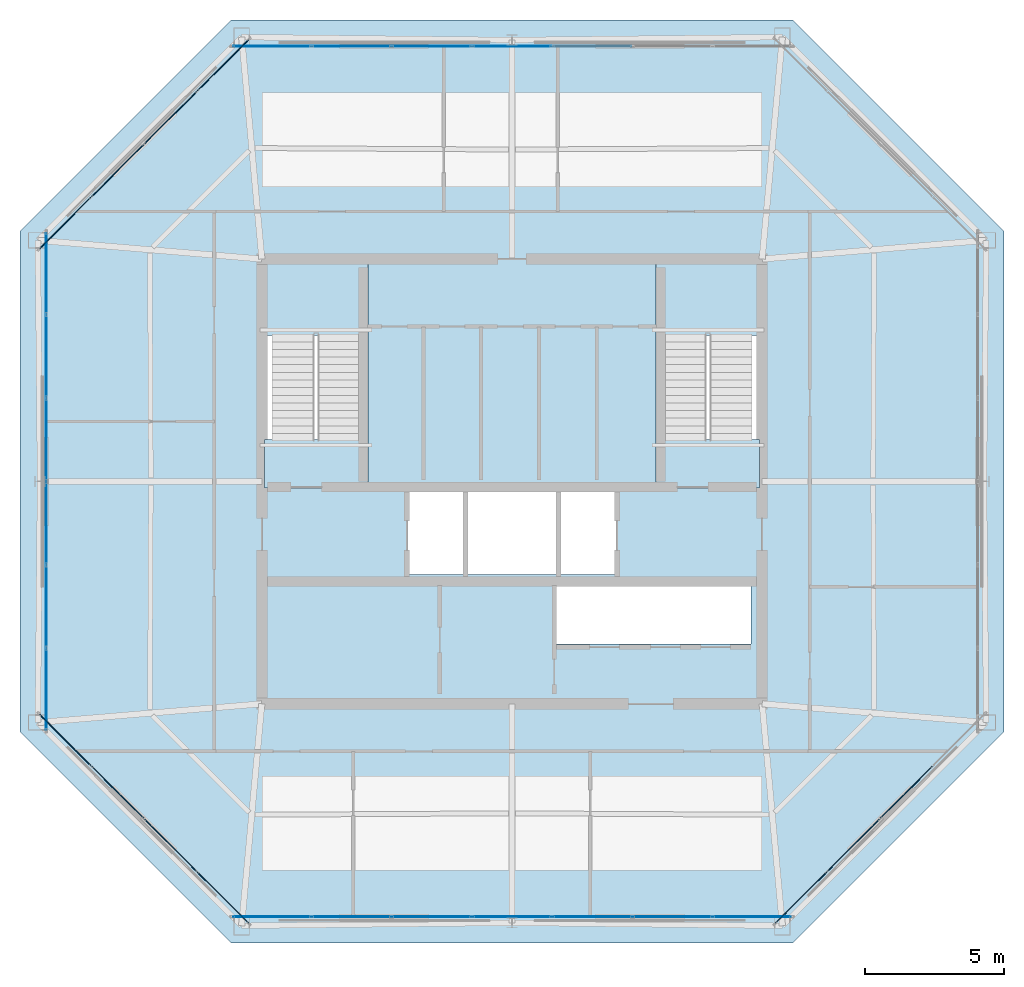
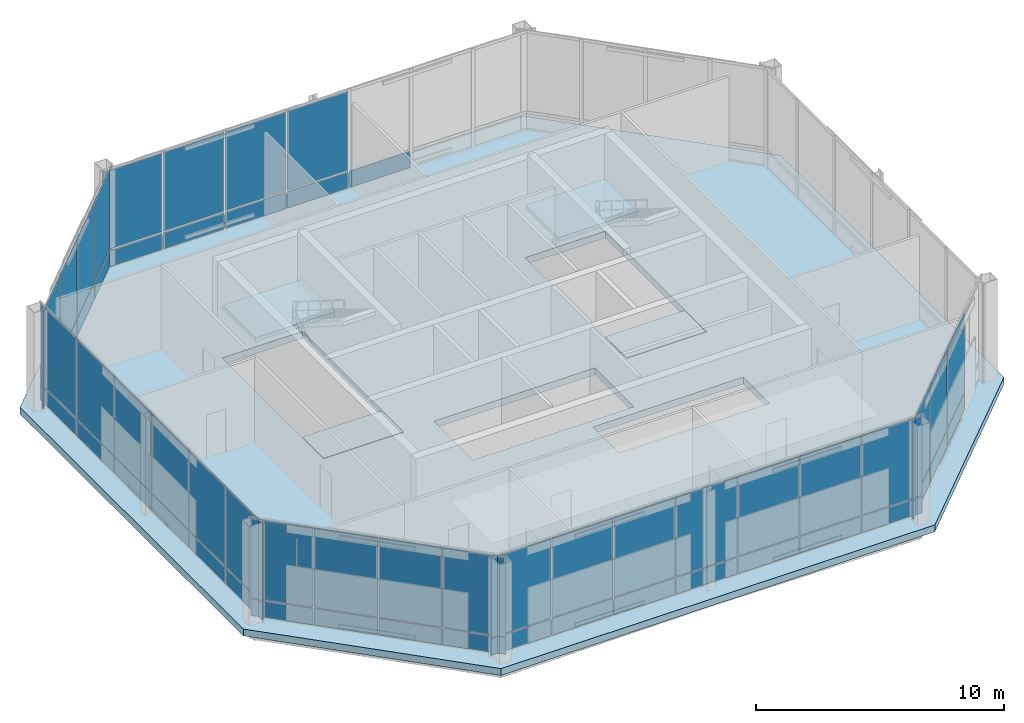
# One storey, part 17 of 21: 57 plates, 5 slabs, 8 elements without a shape of their own.
"""IFC4 building model written with IfcOpenShell, lengths in metres."""

from ifc_helpers import new_model, si_unit, direction, frame, origin, origin_2d, place, context, subcontext, project, spatial, polyline, rectangle, outline, extrude, material, layer, layer_set, type_object, element, aggregate, save


model = new_model("IFC4")

# Units and contexts
model_context = context("Model", 3, precision=1e-05, world=origin(), true_north=direction((0.0, 1.0)))
body_context = subcontext(model_context, "Body", "Model", "MODEL_VIEW")
ifc_project = project(units=[si_unit("LENGTHUNIT", "METRE"), si_unit("AREAUNIT", "SQUARE_METRE"), si_unit("VOLUMEUNIT", "CUBIC_METRE"), si_unit("PLANEANGLEUNIT", "RADIAN"), si_unit("MASSUNIT", "GRAM", prefix="KILO")], contexts=[model_context])

# Site, building, storey
site_placement = place(None, origin())
site = spatial("IfcSite", under=ifc_project, at=site_placement, CompositionType="ELEMENT")
building_placement = place(site_placement, origin())
building = spatial("IfcBuilding", under=site, at=building_placement, Name="Caelvoria Tower", CompositionType="ELEMENT")
storey_placement = place(building_placement, frame((0.0, 0.0, 279.0)))
storey = spatial("IfcBuildingStorey", under=building, at=storey_placement, Name="L74", CompositionType="ELEMENT", Elevation=279.0)

# Curtain wall, plates
ifc_material_1 = material(Name="Anodised Bronze Aluminium and Low-E Glass", Category="aluminium")
ifc_layer_1 = layer(ifc_material_1, 0.205078125, Name="Anodised Bronze Aluminium and Low-E Glass")
ifc_layer_set_1 = layer_set([ifc_layer_1], Name="CW System 5 Observation Panorama Low-Iron Facade - Anodised Bronze Aluminium and Low-E Glass")
curtain_wall_type = type_object("IfcCurtainWallType", Name="CW System 5 Observation Panorama Low-Iron Facade", PredefinedType="NOTDEFINED", material=ifc_layer_set_1)
curtain_wall_1_placement = place(storey_placement, origin())
curtain_wall_1 = element("IfcCurtainWall", 1, at=curtain_wall_1_placement, inside=storey, type_object=curtain_wall_type, Name="CW-05 Curtain Wall L74-E0", PredefinedType="NOTDEFINED")
ifc_material_2 = material(Name="Tinted Low-E Insulated Glazing Unit", Category="glass")
ifc_layer_2 = layer(ifc_material_2, 0.028076171875, Name="Tinted Low-E Insulated Glazing Unit")
ifc_layer_set_2 = layer_set([ifc_layer_2], Name="Double-Glazed Solar-Control Vision Panel 28 - Tinted Low-E Insulated Glazing Unit")
plate_type_1 = type_object("IfcPlateType", Name="Double-Glazed Solar-Control Vision Panel 28", PredefinedType="CURTAIN_PANEL", material=ifc_layer_set_2)
plate_1_placement = place(storey_placement, frame((37.359130859375, 16.340087890625, 0.9326171875), z_axis=(0.0, 0.0, 1.0), x_axis=(1.0, 0.0, 0.0)))
plate_1 = element("IfcPlate", 2, at=plate_1_placement, type_object=plate_type_1, Name="CW-05 panel 1.2", PredefinedType="CURTAIN_PANEL", context=body_context, shape_type="SweptSolid", body=[
    extrude(rectangle(XDim=2.788330078125, YDim=0.028076171875, at=origin_2d()), origin(), (0.0, 0.0, 1.0), 3.902587890625),
])
plate_2_placement = place(storey_placement, frame((40.228515625, 16.340087890625, 0.9326171875), z_axis=(0.0, 0.0, 1.0), x_axis=(1.0, 0.0, 0.0)))
plate_2 = element("IfcPlate", 3, at=plate_2_placement, type_object=plate_type_1, Name="CW-05 panel 2.2", PredefinedType="CURTAIN_PANEL", context=body_context, shape_type="SweptSolid", body=[
    extrude(rectangle(XDim=2.82080078125, YDim=0.028076171875, at=origin_2d()), origin(), (0.0, 0.0, 1.0), 3.902587890625),
])
plate_3_placement = place(storey_placement, frame((43.1142578125, 16.340087890625, 0.9326171875), z_axis=(0.0, 0.0, 1.0), x_axis=(1.0, 0.0, 0.0)))
plate_3 = element("IfcPlate", 4, at=plate_3_placement, type_object=plate_type_1, Name="CW-05 panel 3.2", PredefinedType="CURTAIN_PANEL", context=body_context, shape_type="SweptSolid", body=[
    extrude(rectangle(XDim=2.82080078125, YDim=0.028076171875, at=origin_2d()), origin(), (0.0, 0.0, 1.0), 3.902587890625),
])
plate_4_placement = place(storey_placement, frame((46.0, 16.340087890625, 0.9326171875), z_axis=(0.0, 0.0, 1.0), x_axis=(1.0, 0.0, 0.0)))
plate_4 = element("IfcPlate", 5, at=plate_4_placement, type_object=plate_type_1, Name="CW-05 panel 4.2", PredefinedType="CURTAIN_PANEL", context=body_context, shape_type="SweptSolid", body=[
    extrude(rectangle(XDim=2.82080078125, YDim=0.028076171875, at=origin_2d()), origin(), (0.0, 0.0, 1.0), 3.902587890625),
])
plate_5_placement = place(storey_placement, frame((48.8857421875, 16.340087890625, 0.9326171875), z_axis=(0.0, 0.0, 1.0), x_axis=(1.0, 0.0, 0.0)))
plate_5 = element("IfcPlate", 6, at=plate_5_placement, type_object=plate_type_1, Name="CW-05 panel 5.2", PredefinedType="CURTAIN_PANEL", context=body_context, shape_type="SweptSolid", body=[
    extrude(rectangle(XDim=2.82080078125, YDim=0.028076171875, at=origin_2d()), origin(), (0.0, 0.0, 1.0), 3.902587890625),
])
plate_6_placement = place(storey_placement, frame((51.771484375, 16.340087890625, 0.9326171875), z_axis=(0.0, 0.0, 1.0), x_axis=(1.0, 0.0, 0.0)))
plate_6 = element("IfcPlate", 7, at=plate_6_placement, type_object=plate_type_1, Name="CW-05 panel 6.2", PredefinedType="CURTAIN_PANEL", context=body_context, shape_type="SweptSolid", body=[
    extrude(rectangle(XDim=2.82080078125, YDim=0.028076171875, at=origin_2d()), origin(), (0.0, 0.0, 1.0), 3.902587890625),
])
plate_7_placement = place(storey_placement, frame((54.640869140625, 16.340087890625, 0.9326171875), z_axis=(0.0, 0.0, 1.0), x_axis=(1.0, 0.0, 0.0)))
plate_7 = element("IfcPlate", 8, at=plate_7_placement, type_object=plate_type_1, Name="CW-05 panel 7.2", PredefinedType="CURTAIN_PANEL", context=body_context, shape_type="SweptSolid", body=[
    extrude(rectangle(XDim=2.788330078125, YDim=0.028076171875, at=origin_2d()), origin(), (0.0, 0.0, 1.0), 3.902587890625),
])

curtain_wall_2_placement = place(storey_placement, origin())
curtain_wall_2 = element("IfcCurtainWall", 9, at=curtain_wall_2_placement, inside=storey, type_object=curtain_wall_type, Name="CW-05 Curtain Wall L74-E1", PredefinedType="NOTDEFINED")
plate_8_placement = place(storey_placement, frame((56.396728515625, 17.026123046875, 0.9326171875), z_axis=(0.0, 0.0, 1.0), x_axis=(0.707106781187, 0.707106781187, 0.0)))
plate_8 = element("IfcPlate", 10, at=plate_8_placement, type_object=plate_type_1, Name="CW-05 panel 1.2", PredefinedType="CURTAIN_PANEL", context=body_context, shape_type="SweptSolid", body=[
    extrude(rectangle(XDim=2.589599609375, YDim=0.028076171875, at=origin_2d()), origin(), (0.0, 0.0, 1.0), 3.902587890625),
])
plate_9_placement = place(storey_placement, frame((58.285400390625, 18.914794921875, 0.9326171875), z_axis=(0.0, 0.0, 1.0), x_axis=(0.707106781187, 0.707106781187, 0.0)))
plate_9 = element("IfcPlate", 11, at=plate_9_placement, type_object=plate_type_1, Name="CW-05 panel 2.2", PredefinedType="CURTAIN_PANEL", context=body_context, shape_type="SweptSolid", body=[
    extrude(rectangle(XDim=2.6220703125, YDim=0.028076171875, at=origin_2d()), origin(), (0.0, 0.0, 1.0), 3.902587890625),
])
plate_10_placement = place(storey_placement, frame((60.185302734375, 20.814697265625, 0.9326171875), z_axis=(0.0, 0.0, 1.0), x_axis=(0.707106781187, 0.707106781187, 0.0)))
plate_10 = element("IfcPlate", 12, at=plate_10_placement, type_object=plate_type_1, Name="CW-05 panel 3.2", PredefinedType="CURTAIN_PANEL", context=body_context, shape_type="SweptSolid", body=[
    extrude(rectangle(XDim=2.6220703125, YDim=0.028076171875, at=origin_2d()), origin(), (0.0, 0.0, 1.0), 3.902587890625),
])

curtain_wall_3_placement = place(storey_placement, origin())
curtain_wall_3 = element("IfcCurtainWall", 13, at=curtain_wall_3_placement, inside=storey, type_object=curtain_wall_type, Name="CW-05 Curtain Wall L74-E4", PredefinedType="NOTDEFINED")
plate_11_placement = place(storey_placement, frame((46.0, 47.659912109375, 0.9326171875), z_axis=(0.0, 0.0, 1.0), x_axis=(-1.0, 0.0, 0.0)))
plate_11 = element("IfcPlate", 14, at=plate_11_placement, type_object=plate_type_1, Name="CW-05 panel 4.2", PredefinedType="CURTAIN_PANEL", context=body_context, shape_type="SweptSolid", body=[
    extrude(rectangle(XDim=2.82080078125, YDim=0.028076171875, at=origin_2d()), origin(), (0.0, 0.0, 1.0), 3.902587890625),
])
plate_12_placement = place(storey_placement, frame((43.1142578125, 47.659912109375, 0.9326171875), z_axis=(0.0, 0.0, 1.0), x_axis=(-1.0, 0.0, 0.0)))
plate_12 = element("IfcPlate", 15, at=plate_12_placement, type_object=plate_type_1, Name="CW-05 panel 5.2", PredefinedType="CURTAIN_PANEL", context=body_context, shape_type="SweptSolid", body=[
    extrude(rectangle(XDim=2.82080078125, YDim=0.028076171875, at=origin_2d()), origin(), (0.0, 0.0, 1.0), 3.902587890625),
])
plate_13_placement = place(storey_placement, frame((40.228515625, 47.659912109375, 0.9326171875), z_axis=(0.0, 0.0, 1.0), x_axis=(-1.0, 0.0, 0.0)))
plate_13 = element("IfcPlate", 16, at=plate_13_placement, type_object=plate_type_1, Name="CW-05 panel 6.2", PredefinedType="CURTAIN_PANEL", context=body_context, shape_type="SweptSolid", body=[
    extrude(rectangle(XDim=2.82080078125, YDim=0.028076171875, at=origin_2d()), origin(), (0.0, 0.0, 1.0), 3.902587890625),
])
plate_14_placement = place(storey_placement, frame((37.359130859375, 47.659912109375, 0.9326171875), z_axis=(0.0, 0.0, 1.0), x_axis=(-1.0, 0.0, 0.0)))
plate_14 = element("IfcPlate", 17, at=plate_14_placement, type_object=plate_type_1, Name="CW-05 panel 7.2", PredefinedType="CURTAIN_PANEL", context=body_context, shape_type="SweptSolid", body=[
    extrude(rectangle(XDim=2.788330078125, YDim=0.028076171875, at=origin_2d()), origin(), (0.0, 0.0, 1.0), 3.902587890625),
])

curtain_wall_4_placement = place(storey_placement, origin())
curtain_wall_4 = element("IfcCurtainWall", 18, at=curtain_wall_4_placement, inside=storey, type_object=curtain_wall_type, Name="CW-05 Curtain Wall L74-E5", PredefinedType="NOTDEFINED")
plate_15_placement = place(storey_placement, frame((35.603271484375, 46.973876953125, 0.9326171875), z_axis=(0.0, 0.0, 1.0), x_axis=(-0.707106781187, -0.707106781187, 0.0)))
plate_15 = element("IfcPlate", 19, at=plate_15_placement, type_object=plate_type_1, Name="CW-05 panel 1.2", PredefinedType="CURTAIN_PANEL", context=body_context, shape_type="SweptSolid", body=[
    extrude(rectangle(XDim=2.589599609375, YDim=0.028076171875, at=origin_2d()), origin(), (0.0, 0.0, 1.0), 3.902587890625),
])
plate_16_placement = place(storey_placement, frame((33.714599609375, 45.085205078125, 0.9326171875), z_axis=(0.0, 0.0, 1.0), x_axis=(-0.707106781187, -0.707106781187, 0.0)))
plate_16 = element("IfcPlate", 20, at=plate_16_placement, type_object=plate_type_1, Name="CW-05 panel 2.2", PredefinedType="CURTAIN_PANEL", context=body_context, shape_type="SweptSolid", body=[
    extrude(rectangle(XDim=2.6220703125, YDim=0.028076171875, at=origin_2d()), origin(), (0.0, 0.0, 1.0), 3.902587890625),
])
plate_17_placement = place(storey_placement, frame((31.814697265625, 43.185302734375, 0.9326171875), z_axis=(0.0, 0.0, 1.0), x_axis=(-0.707106781187, -0.707106781187, 0.0)))
plate_17 = element("IfcPlate", 21, at=plate_17_placement, type_object=plate_type_1, Name="CW-05 panel 3.2", PredefinedType="CURTAIN_PANEL", context=body_context, shape_type="SweptSolid", body=[
    extrude(rectangle(XDim=2.6220703125, YDim=0.028076171875, at=origin_2d()), origin(), (0.0, 0.0, 1.0), 3.902587890625),
])
plate_18_placement = place(storey_placement, frame((29.92626953125, 41.296875, 0.9326171875), z_axis=(0.0, 0.0, 1.0), x_axis=(-0.707106781187, -0.707106781187, 0.0)))
plate_18 = element("IfcPlate", 22, at=plate_18_placement, type_object=plate_type_1, Name="CW-05 panel 4.2", PredefinedType="CURTAIN_PANEL", context=body_context, shape_type="SweptSolid", body=[
    extrude(rectangle(XDim=2.589599609375, YDim=0.028076171875, at=origin_2d()), origin(), (0.0, 0.0, 1.0), 3.902587890625),
])

curtain_wall_5_placement = place(storey_placement, origin())
curtain_wall_5 = element("IfcCurtainWall", 23, at=curtain_wall_5_placement, inside=storey, type_object=curtain_wall_type, Name="CW-05 Curtain Wall L74-E6", PredefinedType="NOTDEFINED")
plate_19_placement = place(storey_placement, frame((29.239990234375, 39.483642578125, 0.9326171875), z_axis=(0.0, 0.0, 1.0), x_axis=(0.0, -1.0, 0.0)))
plate_19 = element("IfcPlate", 24, at=plate_19_placement, type_object=plate_type_1, Name="CW-05 panel 1.2", PredefinedType="CURTAIN_PANEL", context=body_context, shape_type="SweptSolid", body=[
    extrude(rectangle(XDim=2.902587890625, YDim=0.028076171875, at=origin_2d()), origin(), (0.0, 0.0, 1.0), 3.902587890625),
])
plate_20_placement = place(storey_placement, frame((29.239990234375, 36.5, 0.9326171875), z_axis=(0.0, 0.0, 1.0), x_axis=(0.0, -1.0, 0.0)))
plate_20 = element("IfcPlate", 25, at=plate_20_placement, type_object=plate_type_1, Name="CW-05 panel 2.2", PredefinedType="CURTAIN_PANEL", context=body_context, shape_type="SweptSolid", body=[
    extrude(rectangle(XDim=2.93505859375, YDim=0.028076171875, at=origin_2d()), origin(), (0.0, 0.0, 1.0), 3.902587890625),
])
plate_21_placement = place(storey_placement, frame((29.239990234375, 33.5, 0.9326171875), z_axis=(0.0, 0.0, 1.0), x_axis=(0.0, -1.0, 0.0)))
plate_21 = element("IfcPlate", 26, at=plate_21_placement, type_object=plate_type_1, Name="CW-05 panel 3.2", PredefinedType="CURTAIN_PANEL", context=body_context, shape_type="SweptSolid", body=[
    extrude(rectangle(XDim=2.93505859375, YDim=0.028076171875, at=origin_2d()), origin(), (0.0, 0.0, 1.0), 3.902587890625),
])
plate_22_placement = place(storey_placement, frame((29.239990234375, 30.5, 0.9326171875), z_axis=(0.0, 0.0, 1.0), x_axis=(0.0, -1.0, 0.0)))
plate_22 = element("IfcPlate", 27, at=plate_22_placement, type_object=plate_type_1, Name="CW-05 panel 4.2", PredefinedType="CURTAIN_PANEL", context=body_context, shape_type="SweptSolid", body=[
    extrude(rectangle(XDim=2.93505859375, YDim=0.028076171875, at=origin_2d()), origin(), (0.0, 0.0, 1.0), 3.902587890625),
])
plate_23_placement = place(storey_placement, frame((29.239990234375, 27.5, 0.9326171875), z_axis=(0.0, 0.0, 1.0), x_axis=(0.0, -1.0, 0.0)))
plate_23 = element("IfcPlate", 28, at=plate_23_placement, type_object=plate_type_1, Name="CW-05 panel 5.2", PredefinedType="CURTAIN_PANEL", context=body_context, shape_type="SweptSolid", body=[
    extrude(rectangle(XDim=2.93505859375, YDim=0.028076171875, at=origin_2d()), origin(), (0.0, 0.0, 1.0), 3.902587890625),
])
plate_24_placement = place(storey_placement, frame((29.239990234375, 24.516357421875, 0.9326171875), z_axis=(0.0, 0.0, 1.0), x_axis=(0.0, -1.0, 0.0)))
plate_24 = element("IfcPlate", 29, at=plate_24_placement, type_object=plate_type_1, Name="CW-05 panel 6.2", PredefinedType="CURTAIN_PANEL", context=body_context, shape_type="SweptSolid", body=[
    extrude(rectangle(XDim=2.902587890625, YDim=0.028076171875, at=origin_2d()), origin(), (0.0, 0.0, 1.0), 3.902587890625),
])

curtain_wall_6_placement = place(storey_placement, origin())
curtain_wall_6 = element("IfcCurtainWall", 30, at=curtain_wall_6_placement, inside=storey, type_object=curtain_wall_type, Name="CW-05 Curtain Wall L74-E7", PredefinedType="NOTDEFINED")
plate_25_placement = place(storey_placement, frame((29.92626953125, 22.703125, 0.9326171875), z_axis=(0.0, 0.0, 1.0), x_axis=(0.707106781187, -0.707106781187, 0.0)))
plate_25 = element("IfcPlate", 31, at=plate_25_placement, type_object=plate_type_1, Name="CW-05 panel 1.2", PredefinedType="CURTAIN_PANEL", context=body_context, shape_type="SweptSolid", body=[
    extrude(rectangle(XDim=2.589599609375, YDim=0.028076171875, at=origin_2d()), origin(), (0.0, 0.0, 1.0), 3.902587890625),
])
plate_26_placement = place(storey_placement, frame((31.814697265625, 20.814697265625, 0.9326171875), z_axis=(0.0, 0.0, 1.0), x_axis=(0.707106781187, -0.707106781187, 0.0)))
plate_26 = element("IfcPlate", 32, at=plate_26_placement, type_object=plate_type_1, Name="CW-05 panel 2.2", PredefinedType="CURTAIN_PANEL", context=body_context, shape_type="SweptSolid", body=[
    extrude(rectangle(XDim=2.6220703125, YDim=0.028076171875, at=origin_2d()), origin(), (0.0, 0.0, 1.0), 3.902587890625),
])
plate_27_placement = place(storey_placement, frame((33.714599609375, 18.914794921875, 0.9326171875), z_axis=(0.0, 0.0, 1.0), x_axis=(0.707106781187, -0.707106781187, 0.0)))
plate_27 = element("IfcPlate", 33, at=plate_27_placement, type_object=plate_type_1, Name="CW-05 panel 3.2", PredefinedType="CURTAIN_PANEL", context=body_context, shape_type="SweptSolid", body=[
    extrude(rectangle(XDim=2.6220703125, YDim=0.028076171875, at=origin_2d()), origin(), (0.0, 0.0, 1.0), 3.902587890625),
])
plate_28_placement = place(storey_placement, frame((35.603271484375, 17.026123046875, 0.9326171875), z_axis=(0.0, 0.0, 1.0), x_axis=(0.707106781187, -0.707106781187, 0.0)))
plate_28 = element("IfcPlate", 34, at=plate_28_placement, type_object=plate_type_1, Name="CW-05 panel 4.2", PredefinedType="CURTAIN_PANEL", context=body_context, shape_type="SweptSolid", body=[
    extrude(rectangle(XDim=2.589599609375, YDim=0.028076171875, at=origin_2d()), origin(), (0.0, 0.0, 1.0), 3.902587890625),
])

# Plate
ifc_material_3 = material(Name="Anodised Bronze Insulated Aluminium Panel", Category="aluminium")
ifc_layer_3 = layer(ifc_material_3, 0.031982421875, Name="Anodised Bronze Insulated Aluminium Panel")
ifc_layer_set_3 = layer_set([ifc_layer_3], Name="Insulated Bronze Spandrel Curtain Panel 32 - Anodised Bronze Insulated Aluminium Panel")
plate_type_2 = type_object("IfcPlateType", Name="Insulated Bronze Spandrel Curtain Panel 32", PredefinedType="CURTAIN_PANEL", material=ifc_layer_set_3)
plate_29_placement = place(storey_placement, frame((37.359130859375, 16.340087890625, 0.06494140625), z_axis=(0.0, 0.0, 1.0), x_axis=(1.0, 0.0, 0.0)))
plate_29 = element("IfcPlate", 35, at=plate_29_placement, type_object=plate_type_2, Name="CW-05 panel 1.1", PredefinedType="CURTAIN_PANEL", context=body_context, shape_type="SweptSolid", body=[
    extrude(rectangle(XDim=2.788330078125, YDim=0.031982421875, at=origin_2d()), origin(), (0.0, 0.0, 1.0), 0.802490234375),
])

plate_30_placement = place(storey_placement, frame((40.228515625, 16.340087890625, 0.06494140625), z_axis=(0.0, 0.0, 1.0), x_axis=(1.0, 0.0, 0.0)))
plate_30 = element("IfcPlate", 36, at=plate_30_placement, type_object=plate_type_2, Name="CW-05 panel 2.1", PredefinedType="CURTAIN_PANEL", context=body_context, shape_type="SweptSolid", body=[
    extrude(rectangle(XDim=2.82080078125, YDim=0.031982421875, at=origin_2d()), origin(), (0.0, 0.0, 1.0), 0.802490234375),
])

plate_31_placement = place(storey_placement, frame((43.1142578125, 16.340087890625, 0.06494140625), z_axis=(0.0, 0.0, 1.0), x_axis=(1.0, 0.0, 0.0)))
plate_31 = element("IfcPlate", 37, at=plate_31_placement, type_object=plate_type_2, Name="CW-05 panel 3.1", PredefinedType="CURTAIN_PANEL", context=body_context, shape_type="SweptSolid", body=[
    extrude(rectangle(XDim=2.82080078125, YDim=0.031982421875, at=origin_2d()), origin(), (0.0, 0.0, 1.0), 0.802490234375),
])

plate_32_placement = place(storey_placement, frame((46.0, 16.340087890625, 0.06494140625), z_axis=(0.0, 0.0, 1.0), x_axis=(1.0, 0.0, 0.0)))
plate_32 = element("IfcPlate", 38, at=plate_32_placement, type_object=plate_type_2, Name="CW-05 panel 4.1", PredefinedType="CURTAIN_PANEL", context=body_context, shape_type="SweptSolid", body=[
    extrude(rectangle(XDim=2.82080078125, YDim=0.031982421875, at=origin_2d()), origin(), (0.0, 0.0, 1.0), 0.802490234375),
])

plate_33_placement = place(storey_placement, frame((48.8857421875, 16.340087890625, 0.06494140625), z_axis=(0.0, 0.0, 1.0), x_axis=(1.0, 0.0, 0.0)))
plate_33 = element("IfcPlate", 39, at=plate_33_placement, type_object=plate_type_2, Name="CW-05 panel 5.1", PredefinedType="CURTAIN_PANEL", context=body_context, shape_type="SweptSolid", body=[
    extrude(rectangle(XDim=2.82080078125, YDim=0.031982421875, at=origin_2d()), origin(), (0.0, 0.0, 1.0), 0.802490234375),
])

plate_34_placement = place(storey_placement, frame((51.771484375, 16.340087890625, 0.06494140625), z_axis=(0.0, 0.0, 1.0), x_axis=(1.0, 0.0, 0.0)))
plate_34 = element("IfcPlate", 40, at=plate_34_placement, type_object=plate_type_2, Name="CW-05 panel 6.1", PredefinedType="CURTAIN_PANEL", context=body_context, shape_type="SweptSolid", body=[
    extrude(rectangle(XDim=2.82080078125, YDim=0.031982421875, at=origin_2d()), origin(), (0.0, 0.0, 1.0), 0.802490234375),
])

plate_35_placement = place(storey_placement, frame((54.640869140625, 16.340087890625, 0.06494140625), z_axis=(0.0, 0.0, 1.0), x_axis=(1.0, 0.0, 0.0)))
plate_35 = element("IfcPlate", 41, at=plate_35_placement, type_object=plate_type_2, Name="CW-05 panel 7.1", PredefinedType="CURTAIN_PANEL", context=body_context, shape_type="SweptSolid", body=[
    extrude(rectangle(XDim=2.788330078125, YDim=0.031982421875, at=origin_2d()), origin(), (0.0, 0.0, 1.0), 0.802490234375),
])

aggregate(curtain_wall_1, [plate_29, plate_1, plate_30, plate_2, plate_31, plate_3, plate_32, plate_4, plate_33, plate_5, plate_34, plate_6, plate_35, plate_7])

plate_36_placement = place(storey_placement, frame((56.396728515625, 17.026123046875, 0.06494140625), z_axis=(0.0, 0.0, 1.0), x_axis=(0.707106781187, 0.707106781187, 0.0)))
plate_36 = element("IfcPlate", 42, at=plate_36_placement, type_object=plate_type_2, Name="CW-05 panel 1.1", PredefinedType="CURTAIN_PANEL", context=body_context, shape_type="SweptSolid", body=[
    extrude(rectangle(XDim=2.589599609375, YDim=0.031982421875, at=origin_2d()), origin(), (0.0, 0.0, 1.0), 0.802490234375),
])

plate_37_placement = place(storey_placement, frame((58.285400390625, 18.914794921875, 0.06494140625), z_axis=(0.0, 0.0, 1.0), x_axis=(0.707106781187, 0.707106781187, 0.0)))
plate_37 = element("IfcPlate", 43, at=plate_37_placement, type_object=plate_type_2, Name="CW-05 panel 2.1", PredefinedType="CURTAIN_PANEL", context=body_context, shape_type="SweptSolid", body=[
    extrude(rectangle(XDim=2.6220703125, YDim=0.031982421875, at=origin_2d()), origin(), (0.0, 0.0, 1.0), 0.802490234375),
])

plate_38_placement = place(storey_placement, frame((60.185302734375, 20.814697265625, 0.06494140625), z_axis=(0.0, 0.0, 1.0), x_axis=(0.707106781187, 0.707106781187, 0.0)))
plate_38 = element("IfcPlate", 44, at=plate_38_placement, type_object=plate_type_2, Name="CW-05 panel 3.1", PredefinedType="CURTAIN_PANEL", context=body_context, shape_type="SweptSolid", body=[
    extrude(rectangle(XDim=2.6220703125, YDim=0.031982421875, at=origin_2d()), origin(), (0.0, 0.0, 1.0), 0.802490234375),
])

aggregate(curtain_wall_2, [plate_36, plate_8, plate_37, plate_9, plate_38, plate_10])

plate_39_placement = place(storey_placement, frame((48.8857421875, 47.659912109375, 0.06494140625), z_axis=(0.0, 0.0, 1.0), x_axis=(-1.0, 0.0, 0.0)))
plate_39 = element("IfcPlate", 45, at=plate_39_placement, type_object=plate_type_2, Name="CW-05 panel 3.1", PredefinedType="CURTAIN_PANEL", context=body_context, shape_type="SweptSolid", body=[
    extrude(rectangle(XDim=2.82080078125, YDim=0.031982421875, at=origin_2d()), origin(), (0.0, 0.0, 1.0), 0.802490234375),
])

plate_40_placement = place(storey_placement, frame((46.0, 47.659912109375, 0.06494140625), z_axis=(0.0, 0.0, 1.0), x_axis=(-1.0, 0.0, 0.0)))
plate_40 = element("IfcPlate", 46, at=plate_40_placement, type_object=plate_type_2, Name="CW-05 panel 4.1", PredefinedType="CURTAIN_PANEL", context=body_context, shape_type="SweptSolid", body=[
    extrude(rectangle(XDim=2.82080078125, YDim=0.031982421875, at=origin_2d()), origin(), (0.0, 0.0, 1.0), 0.802490234375),
])

plate_41_placement = place(storey_placement, frame((43.1142578125, 47.659912109375, 0.06494140625), z_axis=(0.0, 0.0, 1.0), x_axis=(-1.0, 0.0, 0.0)))
plate_41 = element("IfcPlate", 47, at=plate_41_placement, type_object=plate_type_2, Name="CW-05 panel 5.1", PredefinedType="CURTAIN_PANEL", context=body_context, shape_type="SweptSolid", body=[
    extrude(rectangle(XDim=2.82080078125, YDim=0.031982421875, at=origin_2d()), origin(), (0.0, 0.0, 1.0), 0.802490234375),
])

plate_42_placement = place(storey_placement, frame((40.228515625, 47.659912109375, 0.06494140625), z_axis=(0.0, 0.0, 1.0), x_axis=(-1.0, 0.0, 0.0)))
plate_42 = element("IfcPlate", 48, at=plate_42_placement, type_object=plate_type_2, Name="CW-05 panel 6.1", PredefinedType="CURTAIN_PANEL", context=body_context, shape_type="SweptSolid", body=[
    extrude(rectangle(XDim=2.82080078125, YDim=0.031982421875, at=origin_2d()), origin(), (0.0, 0.0, 1.0), 0.802490234375),
])

plate_43_placement = place(storey_placement, frame((37.359130859375, 47.659912109375, 0.06494140625), z_axis=(0.0, 0.0, 1.0), x_axis=(-1.0, 0.0, 0.0)))
plate_43 = element("IfcPlate", 49, at=plate_43_placement, type_object=plate_type_2, Name="CW-05 panel 7.1", PredefinedType="CURTAIN_PANEL", context=body_context, shape_type="SweptSolid", body=[
    extrude(rectangle(XDim=2.788330078125, YDim=0.031982421875, at=origin_2d()), origin(), (0.0, 0.0, 1.0), 0.802490234375),
])

aggregate(curtain_wall_3, [plate_39, plate_40, plate_11, plate_41, plate_12, plate_42, plate_13, plate_43, plate_14])

plate_44_placement = place(storey_placement, frame((35.603271484375, 46.973876953125, 0.06494140625), z_axis=(0.0, 0.0, 1.0), x_axis=(-0.707106781187, -0.707106781187, 0.0)))
plate_44 = element("IfcPlate", 50, at=plate_44_placement, type_object=plate_type_2, Name="CW-05 panel 1.1", PredefinedType="CURTAIN_PANEL", context=body_context, shape_type="SweptSolid", body=[
    extrude(rectangle(XDim=2.589599609375, YDim=0.031982421875, at=origin_2d()), origin(), (0.0, 0.0, 1.0), 0.802490234375),
])

plate_45_placement = place(storey_placement, frame((33.714599609375, 45.085205078125, 0.06494140625), z_axis=(0.0, 0.0, 1.0), x_axis=(-0.707106781187, -0.707106781187, 0.0)))
plate_45 = element("IfcPlate", 51, at=plate_45_placement, type_object=plate_type_2, Name="CW-05 panel 2.1", PredefinedType="CURTAIN_PANEL", context=body_context, shape_type="SweptSolid", body=[
    extrude(rectangle(XDim=2.6220703125, YDim=0.031982421875, at=origin_2d()), origin(), (0.0, 0.0, 1.0), 0.802490234375),
])

plate_46_placement = place(storey_placement, frame((31.814697265625, 43.185302734375, 0.06494140625), z_axis=(0.0, 0.0, 1.0), x_axis=(-0.707106781187, -0.707106781187, 0.0)))
plate_46 = element("IfcPlate", 52, at=plate_46_placement, type_object=plate_type_2, Name="CW-05 panel 3.1", PredefinedType="CURTAIN_PANEL", context=body_context, shape_type="SweptSolid", body=[
    extrude(rectangle(XDim=2.6220703125, YDim=0.031982421875, at=origin_2d()), origin(), (0.0, 0.0, 1.0), 0.802490234375),
])

plate_47_placement = place(storey_placement, frame((29.92626953125, 41.296875, 0.06494140625), z_axis=(0.0, 0.0, 1.0), x_axis=(-0.707106781187, -0.707106781187, 0.0)))
plate_47 = element("IfcPlate", 53, at=plate_47_placement, type_object=plate_type_2, Name="CW-05 panel 4.1", PredefinedType="CURTAIN_PANEL", context=body_context, shape_type="SweptSolid", body=[
    extrude(rectangle(XDim=2.589599609375, YDim=0.031982421875, at=origin_2d()), origin(), (0.0, 0.0, 1.0), 0.802490234375),
])

aggregate(curtain_wall_4, [plate_44, plate_15, plate_45, plate_16, plate_46, plate_17, plate_47, plate_18])

plate_48_placement = place(storey_placement, frame((29.239990234375, 39.483642578125, 0.06494140625), z_axis=(0.0, 0.0, 1.0), x_axis=(0.0, -1.0, 0.0)))
plate_48 = element("IfcPlate", 54, at=plate_48_placement, type_object=plate_type_2, Name="CW-05 panel 1.1", PredefinedType="CURTAIN_PANEL", context=body_context, shape_type="SweptSolid", body=[
    extrude(rectangle(XDim=2.902587890625, YDim=0.031982421875, at=origin_2d()), origin(), (0.0, 0.0, 1.0), 0.802490234375),
])

plate_49_placement = place(storey_placement, frame((29.239990234375, 36.5, 0.06494140625), z_axis=(0.0, 0.0, 1.0), x_axis=(0.0, -1.0, 0.0)))
plate_49 = element("IfcPlate", 55, at=plate_49_placement, type_object=plate_type_2, Name="CW-05 panel 2.1", PredefinedType="CURTAIN_PANEL", context=body_context, shape_type="SweptSolid", body=[
    extrude(rectangle(XDim=2.93505859375, YDim=0.031982421875, at=origin_2d()), origin(), (0.0, 0.0, 1.0), 0.802490234375),
])

plate_50_placement = place(storey_placement, frame((29.239990234375, 33.5, 0.06494140625), z_axis=(0.0, 0.0, 1.0), x_axis=(0.0, -1.0, 0.0)))
plate_50 = element("IfcPlate", 56, at=plate_50_placement, type_object=plate_type_2, Name="CW-05 panel 3.1", PredefinedType="CURTAIN_PANEL", context=body_context, shape_type="SweptSolid", body=[
    extrude(rectangle(XDim=2.93505859375, YDim=0.031982421875, at=origin_2d()), origin(), (0.0, 0.0, 1.0), 0.802490234375),
])

plate_51_placement = place(storey_placement, frame((29.239990234375, 30.5, 0.06494140625), z_axis=(0.0, 0.0, 1.0), x_axis=(0.0, -1.0, 0.0)))
plate_51 = element("IfcPlate", 57, at=plate_51_placement, type_object=plate_type_2, Name="CW-05 panel 4.1", PredefinedType="CURTAIN_PANEL", context=body_context, shape_type="SweptSolid", body=[
    extrude(rectangle(XDim=2.93505859375, YDim=0.031982421875, at=origin_2d()), origin(), (0.0, 0.0, 1.0), 0.802490234375),
])

plate_52_placement = place(storey_placement, frame((29.239990234375, 27.5, 0.06494140625), z_axis=(0.0, 0.0, 1.0), x_axis=(0.0, -1.0, 0.0)))
plate_52 = element("IfcPlate", 58, at=plate_52_placement, type_object=plate_type_2, Name="CW-05 panel 5.1", PredefinedType="CURTAIN_PANEL", context=body_context, shape_type="SweptSolid", body=[
    extrude(rectangle(XDim=2.93505859375, YDim=0.031982421875, at=origin_2d()), origin(), (0.0, 0.0, 1.0), 0.802490234375),
])

plate_53_placement = place(storey_placement, frame((29.239990234375, 24.516357421875, 0.06494140625), z_axis=(0.0, 0.0, 1.0), x_axis=(0.0, -1.0, 0.0)))
plate_53 = element("IfcPlate", 59, at=plate_53_placement, type_object=plate_type_2, Name="CW-05 panel 6.1", PredefinedType="CURTAIN_PANEL", context=body_context, shape_type="SweptSolid", body=[
    extrude(rectangle(XDim=2.902587890625, YDim=0.031982421875, at=origin_2d()), origin(), (0.0, 0.0, 1.0), 0.802490234375),
])

aggregate(curtain_wall_5, [plate_48, plate_19, plate_49, plate_20, plate_50, plate_21, plate_51, plate_22, plate_52, plate_23, plate_53, plate_24])

plate_54_placement = place(storey_placement, frame((29.92626953125, 22.703125, 0.06494140625), z_axis=(0.0, 0.0, 1.0), x_axis=(0.707106781187, -0.707106781187, 0.0)))
plate_54 = element("IfcPlate", 60, at=plate_54_placement, type_object=plate_type_2, Name="CW-05 panel 1.1", PredefinedType="CURTAIN_PANEL", context=body_context, shape_type="SweptSolid", body=[
    extrude(rectangle(XDim=2.589599609375, YDim=0.031982421875, at=origin_2d()), origin(), (0.0, 0.0, 1.0), 0.802490234375),
])

plate_55_placement = place(storey_placement, frame((31.814697265625, 20.814697265625, 0.06494140625), z_axis=(0.0, 0.0, 1.0), x_axis=(0.707106781187, -0.707106781187, 0.0)))
plate_55 = element("IfcPlate", 61, at=plate_55_placement, type_object=plate_type_2, Name="CW-05 panel 2.1", PredefinedType="CURTAIN_PANEL", context=body_context, shape_type="SweptSolid", body=[
    extrude(rectangle(XDim=2.6220703125, YDim=0.031982421875, at=origin_2d()), origin(), (0.0, 0.0, 1.0), 0.802490234375),
])

plate_56_placement = place(storey_placement, frame((33.714599609375, 18.914794921875, 0.06494140625), z_axis=(0.0, 0.0, 1.0), x_axis=(0.707106781187, -0.707106781187, 0.0)))
plate_56 = element("IfcPlate", 62, at=plate_56_placement, type_object=plate_type_2, Name="CW-05 panel 3.1", PredefinedType="CURTAIN_PANEL", context=body_context, shape_type="SweptSolid", body=[
    extrude(rectangle(XDim=2.6220703125, YDim=0.031982421875, at=origin_2d()), origin(), (0.0, 0.0, 1.0), 0.802490234375),
])

plate_57_placement = place(storey_placement, frame((35.603271484375, 17.026123046875, 0.06494140625), z_axis=(0.0, 0.0, 1.0), x_axis=(0.707106781187, -0.707106781187, 0.0)))
plate_57 = element("IfcPlate", 63, at=plate_57_placement, type_object=plate_type_2, Name="CW-05 panel 4.1", PredefinedType="CURTAIN_PANEL", context=body_context, shape_type="SweptSolid", body=[
    extrude(rectangle(XDim=2.589599609375, YDim=0.031982421875, at=origin_2d()), origin(), (0.0, 0.0, 1.0), 0.802490234375),
])

aggregate(curtain_wall_6, [plate_54, plate_25, plate_55, plate_26, plate_56, plate_27, plate_57, plate_28])

# Slab
ifc_material_4 = material(Name="Concrete C50/60", Category="concrete")
ifc_layer_4 = layer(ifc_material_4, 0.340087890625, Name="Concrete C50/60")
ifc_layer_set_4 = layer_set([ifc_layer_4], Name="Observation Gallery Acoustic Slab 340 - Concrete C50/60")
slab_type_1 = type_object("IfcSlabType", Name="Observation Gallery Acoustic Slab 340", PredefinedType="FLOOR", material=ifc_layer_set_4)
slab_1_placement = place(storey_placement, frame((0.0, 0.0, -0.340087890625)))
element("IfcSlab", 64, at=slab_1_placement, inside=storey, type_object=slab_type_1, Name="Level L74 Structural Floor Slab", PredefinedType="FLOOR", context=body_context, shape_type="SweptSolid", body=[
    extrude(outline(polyline([(35.89990234375, 15.39990234375), (56.10009765625, 15.39990234375), (63.699951171875, 23.0), (63.699951171875, 41.0), (56.10009765625, 48.60009765625), (35.89990234375, 48.60009765625), (28.300048828125, 41.0), (28.300048828125, 23.0), (35.89990234375, 15.39990234375)]), holes=[polyline([(37.080078125, 31.75), (40.820068359375, 31.75), (40.820068359375, 39.919921875), (37.080078125, 39.919921875), (37.080078125, 31.75)]), polyline([(51.179931640625, 31.75), (54.919921875, 31.75), (54.919921875, 39.919921875), (51.179931640625, 39.919921875), (51.179931640625, 31.75)]), polyline([(42.25, 28.64990234375), (49.75, 28.64990234375), (49.75, 31.800048828125), (42.25, 31.800048828125), (42.25, 28.64990234375)]), polyline([(47.60009765625, 26.14990234375), (54.60009765625, 26.14990234375), (54.60009765625, 28.25), (47.60009765625, 28.25), (47.60009765625, 26.14990234375)])]), origin(), (0.0, 0.0, 1.0), 0.340087890625),
])

# Stair, slabs
ifc_material_5 = material(Name="Concrete C40/50", Category="concrete")
stair_type = type_object("IfcStairType", Name="Core Smokeproof Dogleg Stair Concrete C40/50", PredefinedType="HALF_TURN_STAIR", material=ifc_material_5)
stair_1_placement = place(storey_placement, origin())
stair_1 = element("IfcStair", 65, at=stair_1_placement, inside=storey, type_object=stair_type, Name="ST-01 Smokeproof Exit Stair L74", PredefinedType="HALF_TURN_STAIR")
ifc_layer_5 = layer(ifc_material_5, 0.199951171875, Name="Concrete C40/50")
ifc_layer_set_5 = layer_set([ifc_layer_5], Name="Stair Half and Floor Landing Slab 200 Concrete C40/50 - Concrete C40/50")
slab_type_2 = type_object("IfcSlabType", Name="Stair Half and Floor Landing Slab 200 Concrete C40/50", PredefinedType="LANDING", material=ifc_layer_set_5)
slab_2_placement = place(storey_placement, frame((0.0, 0.0, -0.199951171875)))
slab_2 = element("IfcSlab", 66, at=slab_2_placement, type_object=slab_type_2, Name="ST-01 landing 1", PredefinedType="LANDING", context=body_context, shape_type="SweptSolid", body=[
    extrude(outline(polyline([(37.10009765625, 31.77001953125), (40.800048828125, 31.77001953125), (40.800048828125, 33.5), (37.10009765625, 33.5), (37.10009765625, 31.77001953125)])), origin(), (0.0, 0.0, 1.0), 0.199951171875),
])
slab_3_placement = place(storey_placement, frame((0.0, 0.0, 2.39990234375)))
slab_3 = element("IfcSlab", 67, at=slab_3_placement, type_object=slab_type_2, Name="ST-01 landing 2", PredefinedType="LANDING", context=body_context, shape_type="SweptSolid", body=[
    extrude(outline(polyline([(37.10009765625, 37.25), (40.800048828125, 37.25), (40.800048828125, 39.89990234375), (37.10009765625, 39.89990234375), (37.10009765625, 37.25)])), origin(), (0.0, 0.0, 1.0), 0.2001953125),
])
aggregate(stair_1, [slab_2, slab_3])

stair_2_placement = place(storey_placement, origin())
stair_2 = element("IfcStair", 68, at=stair_2_placement, inside=storey, type_object=stair_type, Name="ST-02 Smokeproof Exit Stair L74", PredefinedType="HALF_TURN_STAIR")
slab_4_placement = place(storey_placement, frame((0.0, 0.0, -0.199951171875)))
slab_4 = element("IfcSlab", 69, at=slab_4_placement, type_object=slab_type_2, Name="ST-02 landing 1", PredefinedType="LANDING", context=body_context, shape_type="SweptSolid", body=[
    extrude(outline(polyline([(51.199951171875, 31.77001953125), (54.89990234375, 31.77001953125), (54.89990234375, 33.5), (51.199951171875, 33.5), (51.199951171875, 31.77001953125)])), origin(), (0.0, 0.0, 1.0), 0.199951171875),
])
slab_5_placement = place(storey_placement, frame((0.0, 0.0, 2.39990234375)))
slab_5 = element("IfcSlab", 70, at=slab_5_placement, type_object=slab_type_2, Name="ST-02 landing 2", PredefinedType="LANDING", context=body_context, shape_type="SweptSolid", body=[
    extrude(outline(polyline([(51.199951171875, 37.25), (54.89990234375, 37.25), (54.89990234375, 39.89990234375), (51.199951171875, 39.89990234375), (51.199951171875, 37.25)])), origin(), (0.0, 0.0, 1.0), 0.2001953125),
])
aggregate(stair_2, [slab_4, slab_5])

save(model, "model.ifc")
